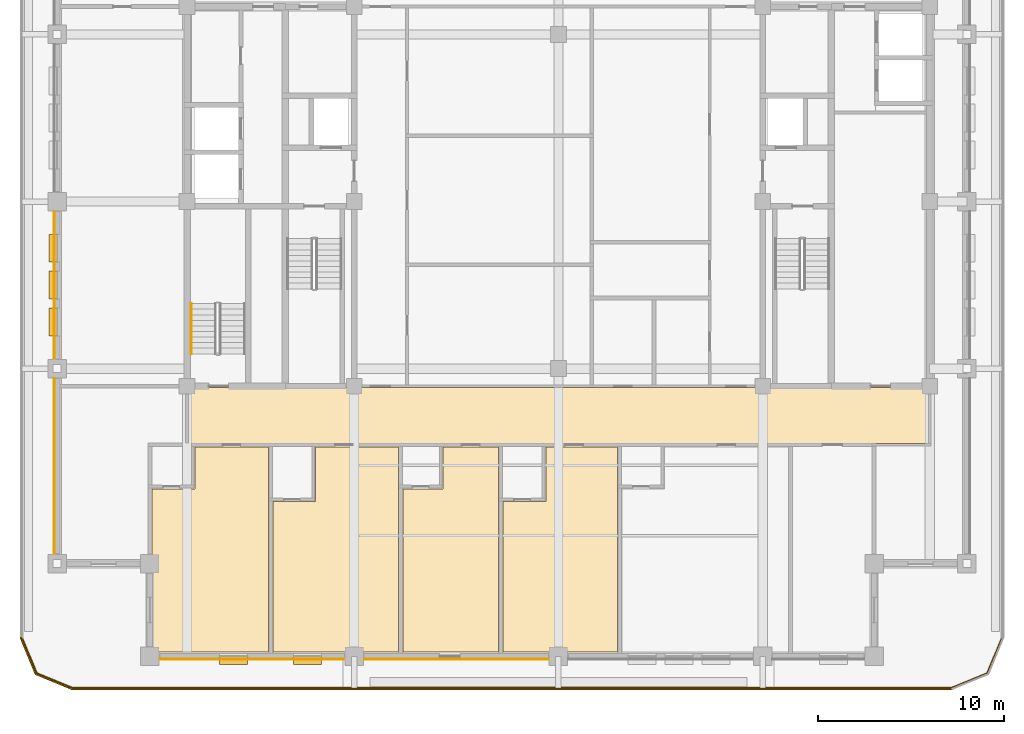
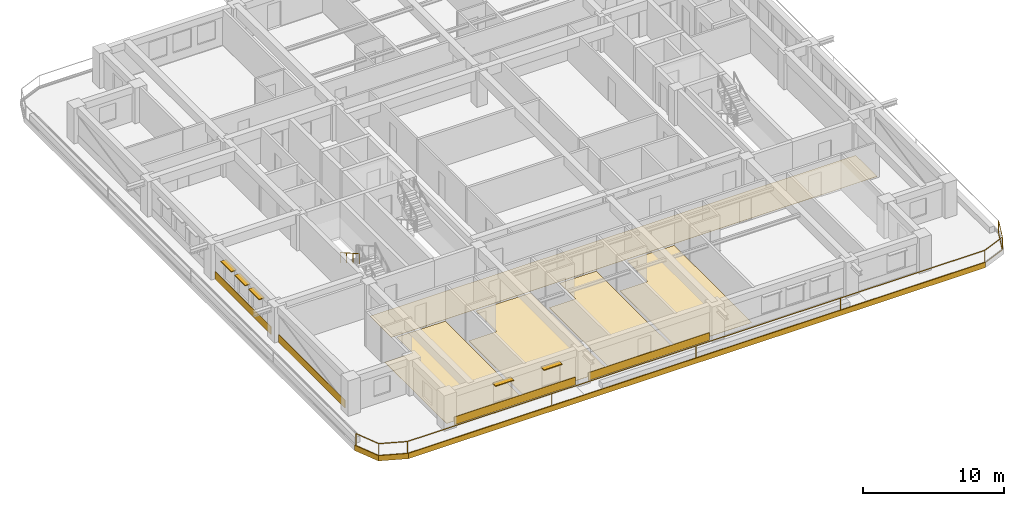
# One storey, part 8 of 14: 12 coverings, 5 shading devices, 2 railings.
"""IFC4 building model written with IfcOpenShell, lengths in metres."""

from ifc_helpers import new_model, si_unit, direction, frame, frame_2d, origin, origin_2d, place, context, subcontext, project, spatial, polyline, rectangle, outline, extrude, material, layer, layer_set, type_object, element, save


model = new_model("IFC4")

# Units and contexts
model_context = context("Model", 3, precision=1e-05, world=origin(), true_north=direction((0.0, 1.0)))
body_context = subcontext(model_context, "Body", "Model", "MODEL_VIEW")
ifc_project = project(units=[si_unit("LENGTHUNIT", "METRE"), si_unit("AREAUNIT", "SQUARE_METRE"), si_unit("VOLUMEUNIT", "CUBIC_METRE"), si_unit("PLANEANGLEUNIT", "RADIAN"), si_unit("MASSUNIT", "GRAM", prefix="KILO")], contexts=[model_context])

# Site, building, storey
site_placement = place(None, origin())
site = spatial("IfcSite", under=ifc_project, at=site_placement, CompositionType="ELEMENT")
building_placement = place(site_placement, origin())
building = spatial("IfcBuilding", under=site, at=building_placement, Name="Zulmaris Gate Convention Tower", CompositionType="ELEMENT")
storey_placement = place(building_placement, frame((0.0, 0.0, 208.4599609375)))
storey = spatial("IfcBuildingStorey", under=building, at=storey_placement, Name="L54", CompositionType="ELEMENT", Elevation=208.4599609375)

# Coverings
ifc_material_1 = material(Name="Precast concrete C40/50", Category="concrete")
ifc_layer_1 = layer(ifc_material_1, 0.0400390625, Name="Precast concrete C40/50")
ifc_layer_set_1 = layer_set([ifc_layer_1], Name="Precast concrete C40/50")
covering_type_1 = type_object("IfcCoveringType", Name="CLAD-SPANDREL-PRECAST", PredefinedType="CLADDING", material=ifc_layer_set_1)
for number, where, z_axis, x_axis, name in (
    (1, (-21.469970703125, -24.64990234375, 0.0), (0.0, 0.0, 1.0), (1.0, 0.0, 0.0), "CLD-L54-S-0_0"),
    (2, (-10.469970703125, -24.64990234375, 0.0), (0.0, 0.0, 1.0), (1.0, 0.0, 0.0), "CLD-L54-S-1_0"),
):
    element("IfcCovering", number, at=place(storey_placement, frame(where, z_axis=z_axis, x_axis=x_axis)), inside=storey, type_object=covering_type_1, Name=name, PredefinedType="CLADDING", context=body_context, shape_type="SweptSolid", body=[
        extrude(rectangle(XDim=9.93994140625, YDim=0.0400390625, at=frame_2d((4.969970703125, 0.0))), origin(), (0.0, 0.0, 1.0), 0.679931640625),
    ])
covering_1_placement = place(storey_placement, frame((-27.14990234375, -9.530029296875, 0.0), z_axis=(0.0, 0.0, 1.0), x_axis=(0.0, -1.0, 0.0)))
element("IfcCovering", 3, at=covering_1_placement, inside=storey, type_object=covering_type_1, Name="CLD-L54-W-0_0", PredefinedType="CLADDING", context=body_context, shape_type="SweptSolid", body=[
    extrude(rectangle(XDim=9.43994140625, YDim=0.0400390625, at=frame_2d((4.719970703125, 0.0))), origin(), (0.0, 0.0, 1.0), 0.679931640625),
])
covering_2_placement = place(storey_placement, frame((-27.14990234375, -0.530029296875, 0.0), z_axis=(0.0, 0.0, 1.0), x_axis=(0.0, -1.0, 0.0)))
element("IfcCovering", 4, at=covering_2_placement, inside=storey, type_object=covering_type_1, Name="CLD-L54-W-1_0", PredefinedType="CLADDING", context=body_context, shape_type="SweptSolid", body=[
    extrude(rectangle(XDim=7.93994140625, YDim=0.0400390625, at=frame_2d((3.969970703125, 0.0))), origin(), (0.0, 0.0, 1.0), 0.679931640625),
])
ifc_material_2 = material(Name="White Glazed Architectural Precast Concrete C40/50", Category="concrete")
ifc_layer_2 = layer(ifc_material_2, 0.080078125, Name="White Glazed Architectural Precast Concrete C40/50")
ifc_layer_set_2 = layer_set([ifc_layer_2], Name="White Glazed Architectural Precast Concrete C40/50")
covering_type_2 = type_object("IfcCoveringType", Name="CLAD-TRAY-FASCIA", PredefinedType="CLADDING", material=ifc_layer_set_2)
covering_3_placement = place(storey_placement, frame((-28.962890625, -23.484619140625, -0.2900390625), z_axis=(0.0, 0.0, 1.0), x_axis=(0.382656984709, -0.923890487046, 0.0)))
element("IfcCovering", 5, at=covering_3_placement, inside=storey, type_object=covering_type_2, Name="FSC-L54-TR-00", PredefinedType="CLADDING", context=body_context, shape_type="SweptSolid", body=[
    extrude(rectangle(XDim=2.14306640625, YDim=0.080078125, at=frame_2d((1.071533203125, 0.0))), origin(), (0.0, 0.0, 1.0), 0.4599609375),
])
covering_4_placement = place(storey_placement, frame((-28.16455078125, -25.44287109375, -0.2900390625), z_axis=(0.0, 0.0, 1.0), x_axis=(0.923873803533, -0.382697263049, 0.0)))
element("IfcCovering", 6, at=covering_4_placement, inside=storey, type_object=covering_type_2, Name="FSC-L54-TR-01", PredefinedType="CLADDING", context=body_context, shape_type="SweptSolid", body=[
    extrude(rectangle(XDim=2.142822265625, YDim=0.080078125, at=frame_2d((1.0712890625, 0.0))), origin(), (0.0, 0.0, 1.0), 0.4599609375),
])
covering_5_placement = place(storey_placement, frame((-26.199951171875, -26.260009765625, -0.2900390625), z_axis=(0.0, 0.0, 1.0), x_axis=(1.0, 0.0, 0.0)))
element("IfcCovering", 7, at=covering_5_placement, inside=storey, type_object=covering_type_2, Name="FSC-L54-TR-02", PredefinedType="CLADDING", context=body_context, shape_type="SweptSolid", body=[
    extrude(rectangle(XDim=47.39990234375, YDim=0.080078125, at=frame_2d((23.699951171875, 0.0))), origin(), (0.0, 0.0, 1.0), 0.4599609375),
])
ifc_material_3 = material(Name="Woven Acoustic Wool Carpet Tile")
ifc_layer_3 = layer(ifc_material_3, 0.02001953125, Name="Woven Acoustic Wool Carpet Tile")
ifc_layer_set_3 = layer_set([ifc_layer_3], Name="Woven Acoustic Wool Carpet Tile")
covering_type_3 = type_object("IfcCoveringType", Name="FLR-CARPET-12", PredefinedType="FLOORING", material=ifc_layer_set_3)
covering_6_placement = place(storey_placement, origin())
element("IfcCovering", 8, at=covering_6_placement, inside=storey, type_object=covering_type_3, Name="FLR-L54-R26", PredefinedType="FLOORING", context=body_context, shape_type="SweptSolid", body=[
    extrude(outline(polyline([(-19.93994140625, -13.0400390625), (19.93994140625, -13.0400390625), (19.93994140625, -10.010009765625), (-19.93994140625, -10.010009765625), (-19.93994140625, -13.0400390625)])), origin(), (0.0, 0.0, 1.0), 0.02001953125),
])
ifc_material_4 = material(Name="Engineered Teak Parquet Flooring")
ifc_layer_4 = layer(ifc_material_4, 0.02001953125, Name="Engineered Teak Parquet Flooring")
ifc_layer_set_4 = layer_set([ifc_layer_4], Name="Engineered Teak Parquet Flooring")
covering_type_4 = type_object("IfcCoveringType", Name="FLR-TIMBER-18", PredefinedType="FLOORING", material=ifc_layer_set_4)
covering_7_placement = place(storey_placement, origin())
element("IfcCovering", 9, at=covering_7_placement, inside=storey, type_object=covering_type_4, Name="FLR-L54-R38", PredefinedType="FLOORING", context=body_context, shape_type="SweptSolid", body=[
    extrude(outline(polyline([(-21.8798828125, -24.260009765625), (-15.6201171875, -24.260009765625), (-15.6201171875, -13.219970703125), (-19.580078125, -13.219970703125), (-19.580078125, -15.469970703125), (-21.8798828125, -15.469970703125), (-21.8798828125, -24.260009765625)])), origin(), (0.0, 0.0, 1.0), 0.02001953125),
])
covering_8_placement = place(storey_placement, origin())
element("IfcCovering", 10, at=covering_8_placement, inside=storey, type_object=covering_type_4, Name="FLR-L54-R40", PredefinedType="FLOORING", context=body_context, shape_type="SweptSolid", body=[
    extrude(outline(polyline([(-15.3798828125, -24.260009765625), (-8.6201171875, -24.260009765625), (-8.6201171875, -13.219970703125), (-13.080078125, -13.219970703125), (-13.080078125, -16.169921875), (-15.3798828125, -16.169921875), (-15.3798828125, -24.260009765625)])), origin(), (0.0, 0.0, 1.0), 0.02001953125),
])
covering_9_placement = place(storey_placement, origin())
element("IfcCovering", 11, at=covering_9_placement, inside=storey, type_object=covering_type_4, Name="FLR-L54-R42", PredefinedType="FLOORING", context=body_context, shape_type="SweptSolid", body=[
    extrude(outline(polyline([(-8.3798828125, -24.260009765625), (-3.219970703125, -24.260009765625), (-3.219970703125, -13.219970703125), (-6.219970703125, -13.219970703125), (-6.219970703125, -15.469970703125), (-8.3798828125, -15.469970703125), (-8.3798828125, -24.260009765625)])), origin(), (0.0, 0.0, 1.0), 0.02001953125),
])
covering_10_placement = place(storey_placement, origin())
element("IfcCovering", 12, at=covering_10_placement, inside=storey, type_object=covering_type_4, Name="FLR-L54-R44", PredefinedType="FLOORING", context=body_context, shape_type="SweptSolid", body=[
    extrude(outline(polyline([(-2.97998046875, -24.260009765625), (3.179931640625, -24.260009765625), (3.179931640625, -13.219970703125), (-0.679931640625, -13.219970703125), (-0.679931640625, -16.169921875), (-2.97998046875, -16.169921875), (-2.97998046875, -24.260009765625)])), origin(), (0.0, 0.0, 1.0), 0.02001953125),
])

# Railings
ifc_material_5 = material(Name="Laminated Glass and Stainless Steel", Category="steel")
railing_type_1 = type_object("IfcRailingType", Name="RL-BALC-1150", PredefinedType="BALUSTRADE", material=ifc_material_5)
railing_1_placement = place(storey_placement, frame((-28.8798828125, -23.5, 0.010009765625)))
element("IfcRailing", 13, at=railing_1_placement, inside=storey, type_object=railing_type_1, Name="RL-L54-BALC-S", PredefinedType="BALUSTRADE", context=body_context, shape_type="SweptSolid", body=[
    extrude(rectangle(XDim=0.048095703125, YDim=0.048095703125, at=origin_2d()), frame((0.0, 0.0, 1.1259765625), z_axis=(0.382670664694, -0.92388482095, 0.0), x_axis=(0.92388482095, 0.382670664694, 0.0)), (0.0, 0.0, 1.0), 2.051025390625),
    extrude(rectangle(XDim=0.048095703125, YDim=0.048095703125, at=origin_2d()), frame((0.0, 0.0, 0.02392578125), z_axis=(0.382670664694, -0.92388482095, 0.0), x_axis=(0.92388482095, 0.382670664694, 0.0)), (0.0, 0.0, 1.0), 2.051025390625),
    extrude(rectangle(XDim=0.048095703125, YDim=0.048095703125, at=origin_2d()), frame((0.784912109375, -1.89501953125, 1.1259765625), z_axis=(0.92388482095, -0.382670664694, 0.0), x_axis=(0.382670664694, 0.92388482095, 0.0)), (0.0, 0.0, 1.0), 2.051025390625),
    extrude(rectangle(XDim=0.048095703125, YDim=0.048095703125, at=origin_2d()), frame((0.784912109375, -1.89501953125, 0.02392578125), z_axis=(0.92388482095, -0.382670664694, 0.0), x_axis=(0.382670664694, 0.92388482095, 0.0)), (0.0, 0.0, 1.0), 2.051025390625),
    extrude(rectangle(XDim=0.048095703125, YDim=0.048095703125, at=origin_2d()), frame((2.679931640625, -2.679931640625, 1.1259765625), z_axis=(1.0, 0.0, 0.0), x_axis=(0.0, 1.0, 0.0)), (0.0, 0.0, 1.0), 47.39990234375),
    extrude(rectangle(XDim=0.048095703125, YDim=0.048095703125, at=origin_2d()), frame((2.679931640625, -2.679931640625, 0.02392578125), z_axis=(1.0, 0.0, 0.0), x_axis=(0.0, 1.0, 0.0)), (0.0, 0.0, 1.0), 47.39990234375),
    extrude(rectangle(XDim=0.048095703125, YDim=0.048095703125, at=origin_2d()), frame((50.079833984375, -2.679931640625, 1.1259765625), z_axis=(0.92388482095, 0.382670664694, 0.0), x_axis=(-0.382670664694, 0.92388482095, 0.0)), (0.0, 0.0, 1.0), 2.051025390625),
    extrude(rectangle(XDim=0.048095703125, YDim=0.048095703125, at=origin_2d()), frame((50.079833984375, -2.679931640625, 0.02392578125), z_axis=(0.92388482095, 0.382670664694, 0.0), x_axis=(-0.382670664694, 0.92388482095, 0.0)), (0.0, 0.0, 1.0), 2.051025390625),
    extrude(rectangle(XDim=0.048095703125, YDim=0.048095703125, at=origin_2d()), frame((51.974853515625, -1.89501953125, 1.1259765625), z_axis=(0.382670664694, 0.92388482095, 0.0), x_axis=(-0.92388482095, 0.382670664694, 0.0)), (0.0, 0.0, 1.0), 2.051025390625),
    extrude(rectangle(XDim=0.048095703125, YDim=0.048095703125, at=origin_2d()), frame((51.974853515625, -1.89501953125, 0.02392578125), z_axis=(0.382670664694, 0.92388482095, 0.0), x_axis=(-0.92388482095, 0.382670664694, 0.0)), (0.0, 0.0, 1.0), 2.051025390625),
    extrude(rectangle(XDim=0.0419921875, YDim=0.0419921875, at=origin_2d()), origin(), (0.0, 0.0, 1.0), 1.101806640625),
    extrude(rectangle(XDim=0.0419921875, YDim=0.0419921875, at=origin_2d()), frame((0.784912109375, -1.89501953125, 0.0)), (0.0, 0.0, 1.0), 1.101806640625),
    extrude(rectangle(XDim=0.0419921875, YDim=0.0419921875, at=origin_2d()), frame((2.679931640625, -2.679931640625, 0.0)), (0.0, 0.0, 1.0), 1.101806640625),
    extrude(rectangle(XDim=0.0419921875, YDim=0.0419921875, at=origin_2d()), frame((14.52978515625, -2.679931640625, 0.0)), (0.0, 0.0, 1.0), 1.101806640625),
    extrude(rectangle(XDim=0.0419921875, YDim=0.0419921875, at=origin_2d()), frame((26.3798828125, -2.679931640625, 0.0)), (0.0, 0.0, 1.0), 1.101806640625),
    extrude(rectangle(XDim=0.0419921875, YDim=0.0419921875, at=origin_2d()), frame((38.22998046875, -2.679931640625, 0.0)), (0.0, 0.0, 1.0), 1.101806640625),
    extrude(rectangle(XDim=0.0419921875, YDim=0.0419921875, at=origin_2d()), frame((50.079833984375, -2.679931640625, 0.0)), (0.0, 0.0, 1.0), 1.101806640625),
    extrude(rectangle(XDim=0.0419921875, YDim=0.0419921875, at=origin_2d()), frame((51.974853515625, -1.89501953125, 0.0)), (0.0, 0.0, 1.0), 1.101806640625),
    extrude(rectangle(XDim=0.0419921875, YDim=0.0419921875, at=origin_2d()), frame((52.759765625, 0.0, 0.0)), (0.0, 0.0, 1.0), 1.101806640625),
])
ifc_material_6 = material(Name="Brushed Stainless Steel", Category="steel")
railing_type_2 = type_object("IfcRailingType", Name="RL-STH-900", PredefinedType="HANDRAIL", material=ifc_material_6)
railing_2_placement = place(storey_placement, frame((-19.77001953125, -5.5, 1.869873046875)))
element("IfcRailing", 14, at=railing_2_placement, inside=storey, type_object=railing_type_2, Name="L54 ST-3 stair handrail 2", PredefinedType="HANDRAIL", context=body_context, shape_type="SweptSolid", body=[
    extrude(rectangle(XDim=0.048095703125, YDim=0.048095703125, at=origin_2d()), frame((0.0, 0.0, 0.8759765625), z_axis=(0.0, -0.870014312096, 0.49302646658), x_axis=(1.0, 0.0, 0.0)), (0.0, 0.0, 1.0), 3.103271484375),
    extrude(rectangle(XDim=0.0419921875, YDim=0.0419921875, at=origin_2d()), origin(), (0.0, 0.0, 1.0), 0.851806640625),
    extrude(rectangle(XDim=0.0419921875, YDim=0.0419921875, at=origin_2d()), frame((0.0, -0.89990234375, 0.510009765625)), (0.0, 0.0, 1.0), 0.851806640625),
    extrude(rectangle(XDim=0.0419921875, YDim=0.0419921875, at=origin_2d()), frame((0.0, -1.800048828125, 1.02001953125)), (0.0, 0.0, 1.0), 0.851806640625),
    extrude(rectangle(XDim=0.0419921875, YDim=0.0419921875, at=origin_2d()), frame((0.0, -2.699951171875, 1.530029296875)), (0.0, 0.0, 1.0), 0.851806640625),
])

# Shading devices
ifc_material_7 = material(Name="Glazed Ceramic Terracotta", Category="masonry")
ifc_layer_5 = layer(ifc_material_7, 0.070068359375, Name="Glazed Ceramic Terracotta")
ifc_layer_set_5 = layer_set([ifc_layer_5], Name="Glazed Ceramic Terracotta")
shading_device_type = type_object("IfcShadingDeviceType", Name="SHD-SUNSHADE-TC", PredefinedType="AWNING", material=ifc_layer_set_5)
for number, where, z_axis, x_axis, name in (
    (15, (-18.243896484375, -24.719970703125, 2.35009765625), (0.0, 0.0, 1.0), (1.0, 0.0, 0.0), "SHD-EW-L54-S-0_0-2"),
    (16, (-14.26806640625, -24.719970703125, 2.35009765625), (0.0, 0.0, 1.0), (1.0, 0.0, 0.0), "SHD-EW-L54-S-0_0-4"),
    (17, (-27.219970703125, -1.764892578125, 2.35009765625), (0.0, 0.0, 1.0), (0.0, -1.0, 0.0), "SHD-EW-L54-W-1_0-1"),
    (18, (-27.219970703125, -3.75, 2.35009765625), (0.0, 0.0, 1.0), (0.0, -1.0, 0.0), "SHD-EW-L54-W-1_0-2"),
    (19, (-27.219970703125, -5.735107421875, 2.35009765625), (0.0, 0.0, 1.0), (0.0, -1.0, 0.0), "SHD-EW-L54-W-1_0-3"),
):
    element("IfcShadingDevice", number, at=place(storey_placement, frame(where, z_axis=z_axis, x_axis=x_axis)), inside=storey, type_object=shading_device_type, Name=name, PredefinedType="AWNING", context=body_context, shape_type="SweptSolid", body=[
        extrude(rectangle(XDim=1.5, YDim=0.43994140625, at=frame_2d((0.75, 0.0))), origin(), (0.0, 0.0, 1.0), 0.06982421875),
    ])

save(model, "model.ifc")
